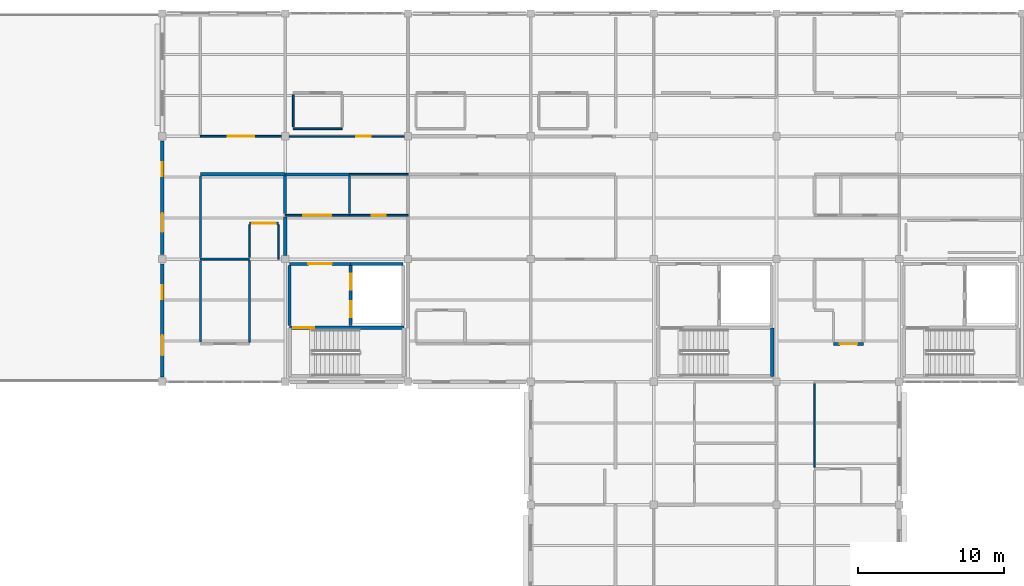
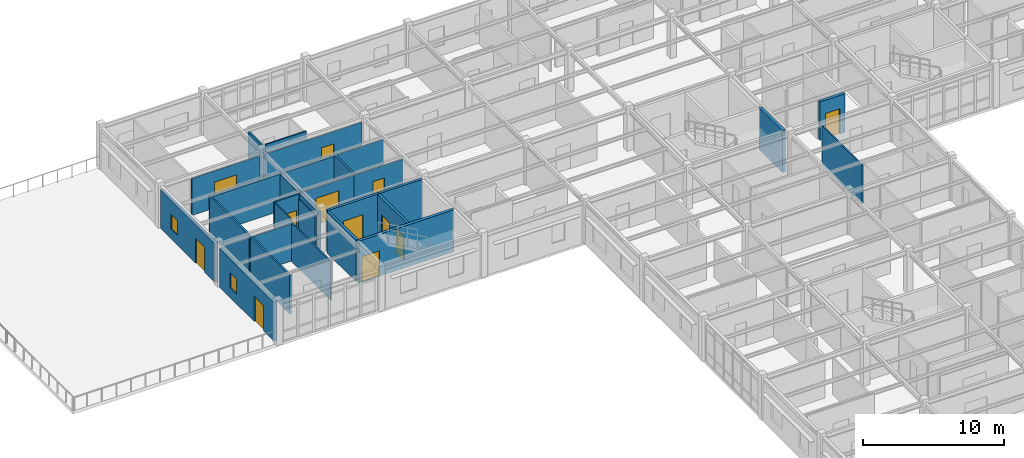
# One storey, part 40 of 53: 29 walls, 12 doors, 2 windows, 14 openings.
"""IFC4 building model written with IfcOpenShell, lengths in metres."""

from ifc_helpers import new_model, si_unit, direction, frame, frame_2d, origin, place, context, subcontext, project, spatial, rectangle, extrude, material, layer, layer_set, type_object, element, fill, save


model = new_model("IFC4")

# Units and contexts
model_context = context("Model", 3, precision=1e-05, world=origin(), true_north=direction((0.0, 1.0)))
body_context = subcontext(model_context, "Body", "Model", "MODEL_VIEW")
ifc_project = project(units=[si_unit("LENGTHUNIT", "METRE"), si_unit("AREAUNIT", "SQUARE_METRE"), si_unit("VOLUMEUNIT", "CUBIC_METRE"), si_unit("PLANEANGLEUNIT", "RADIAN"), si_unit("MASSUNIT", "GRAM", prefix="KILO")], contexts=[model_context])

# Site, building, storey
site_placement = place(None, origin())
site = spatial("IfcSite", under=ifc_project, at=site_placement, CompositionType="ELEMENT")
building_placement = place(site_placement, origin())
building = spatial("IfcBuilding", under=site, at=building_placement, Name="Bramfleet General Hospital", CompositionType="ELEMENT")
storey_placement = place(building_placement, frame((0.0, 0.0, 26.39990234375)))
storey = spatial("IfcBuildingStorey", under=building, at=storey_placement, Name="L06", CompositionType="ELEMENT", Elevation=26.39990234375)

# Wall, openings, door, window
ifc_material_1 = material(Name="Precast concrete C40/50", Category="concrete")
ifc_layer_1 = layer(ifc_material_1, 0.25, Name="WT-EW-08")
ifc_layer_set_1 = layer_set([ifc_layer_1], Name="Precast concrete C40/50")
wall_type_1 = type_object("IfcWallType", Name="WT-EW-08", PredefinedType="SOLIDWALL", material=ifc_layer_set_1)
wall_1_placement = place(storey_placement, frame((67.199951171875, 92.72509765625, 0.0), z_axis=(0.0, 0.0, 1.0), x_axis=(0.0, 1.0, 0.0)))
wall_1 = element("IfcWall", 1, at=wall_1_placement, inside=storey, type_object=wall_type_1, Name="L06 Exterior Wall 391", PredefinedType="SOLIDWALL", context=body_context, shape_type="SweptSolid", body=[
    extrude(rectangle(XDim=7.75, YDim=0.25, at=frame_2d((3.875, 0.0))), origin(), (0.0, 0.0, 1.0), 3.380126953125),
])
opening_1_placement = place(wall_1_placement, frame((1.47998046875, 0.0, 0.0)))
opening_1 = element("IfcOpeningElement", 2, at=opening_1_placement, cuts=wall_1, Name="Opening D-L06-TER-024", PredefinedType="OPENING", context=body_context, shape_type="SweptSolid", body=[
    extrude(rectangle(XDim=1.3798828125, YDim=2.179931640625, at=frame_2d((0.68994140625, 1.08984375))), frame((0.0, 0.135009765625, 0.0), z_axis=(0.0, -1.0, 0.0), x_axis=(1.0, 0.0, 0.0)), (0.0, 0.0, 1.0), 0.27001953125),
])
opening_2_placement = place(wall_1_placement, frame((5.33740234375, 0.0, 0.85009765625)))
opening_2 = element("IfcOpeningElement", 3, at=opening_2_placement, cuts=wall_1, Name="Opening W-01", PredefinedType="OPENING", context=body_context, shape_type="SweptSolid", body=[
    extrude(rectangle(XDim=0.949951171875, YDim=1.300048828125, at=frame_2d((0.47509765625, 0.64990234375))), frame((0.0, 0.135009765625, 0.0), z_axis=(0.0, -1.0, 0.0), x_axis=(1.0, 0.0, 0.0)), (0.0, 0.0, 1.0), 0.27001953125),
])
ifc_material_2 = material(Name="Thermally broken steel and laminated safety glass", Category="steel")
door_type_1 = type_object("IfcDoorType", Name="DR-ED-04", OperationType="NOTDEFINED", PredefinedType="DOOR", material=ifc_material_2)
door_1_placement = place(opening_1_placement, origin())
door_1 = element("IfcDoor", 4, at=door_1_placement, inside=storey, type_object=door_type_1, Name="L06 Terrace/Helipad Access Door D-L06-TER-024", OperationType="SINGLE_SWING_LEFT", OverallHeight=2.179931640625, OverallWidth=1.3798828125, PredefinedType="DOOR", context=body_context, shape_type="SweptSolid", body=[
    extrude(rectangle(XDim=1.3798828125, YDim=2.179931640625, at=frame_2d((0.68994140625, 1.08984375))), frame((0.0, 0.02490234375, 0.0), z_axis=(0.0, -1.0, 0.0), x_axis=(1.0, 0.0, 0.0)), (0.0, 0.0, 1.0), 0.050048828125),
])
fill(opening_1, door_1)
ifc_material_3 = material(Name="Anodised aluminium and low-E triple glazing", Category="aluminium")
window_type = type_object("IfcWindowType", Name="WIN-W-01", PartitioningType="SINGLE_PANEL", PredefinedType="WINDOW", material=ifc_material_3)
window_1_placement = place(opening_2_placement, origin())
window_1 = element("IfcWindow", 5, at=window_1_placement, inside=storey, type_object=window_type, Name="L06 Facade Window WIN-L06-391-TER", OverallHeight=1.300048828125, OverallWidth=0.949951171875, PartitioningType="SINGLE_PANEL", PredefinedType="WINDOW", context=body_context, shape_type="SweptSolid", body=[
    extrude(rectangle(XDim=0.949951171875, YDim=1.300048828125, at=frame_2d((0.47509765625, 0.64990234375))), frame((0.0, 0.030029296875, 0.0), z_axis=(0.0, -1.0, 0.0), x_axis=(1.0, 0.0, 0.0)), (0.0, 0.0, 1.0), 0.06005859375),
])
fill(opening_2, window_1)

ifc_layer_2 = layer(ifc_material_1, 0.235107421875, Name="WT-EW-09")
ifc_layer_set_2 = layer_set([ifc_layer_2], Name="Precast concrete C40/50")
wall_type_2 = type_object("IfcWallType", Name="WT-EW-09", PredefinedType="SOLIDWALL", material=ifc_layer_set_2)
wall_2_placement = place(storey_placement, frame((67.199951171875, 101.125, 0.0), z_axis=(0.0, 0.0, 1.0), x_axis=(0.0, 1.0, 0.0)))
wall_2 = element("IfcWall", 6, at=wall_2_placement, inside=storey, type_object=wall_type_2, Name="L06 Exterior Wall 392", PredefinedType="SOLIDWALL", context=body_context, shape_type="SweptSolid", body=[
    extrude(rectangle(XDim=7.75, YDim=0.235107421875, at=frame_2d((3.875, 0.0))), origin(), (0.0, 0.0, 1.0), 3.380126953125),
])
opening_3_placement = place(wall_2_placement, frame((1.5400390625, 0.0, 0.0)))
opening_3 = element("IfcOpeningElement", 7, at=opening_3_placement, cuts=wall_2, Name="Opening D-L06-TER-025", PredefinedType="OPENING", context=body_context, shape_type="SweptSolid", body=[
    extrude(rectangle(XDim=1.260009765625, YDim=2.14990234375, at=frame_2d((0.6298828125, 1.074951171875))), frame((0.0, 0.12744140625, 0.0), z_axis=(0.0, -1.0, 0.0), x_axis=(1.0, 0.0, 0.0)), (0.0, 0.0, 1.0), 0.255126953125),
])
opening_4_placement = place(wall_2_placement, frame((5.33740234375, 0.0, 0.85009765625)))
opening_4 = element("IfcOpeningElement", 8, at=opening_4_placement, cuts=wall_2, Name="Opening W-01", PredefinedType="OPENING", context=body_context, shape_type="SweptSolid", body=[
    extrude(rectangle(XDim=0.949951171875, YDim=1.300048828125, at=frame_2d((0.47509765625, 0.64990234375))), frame((0.0, 0.12744140625, 0.0), z_axis=(0.0, -1.0, 0.0), x_axis=(1.0, 0.0, 0.0)), (0.0, 0.0, 1.0), 0.255126953125),
])
door_type_2 = type_object("IfcDoorType", Name="DR-ED-05", OperationType="NOTDEFINED", PredefinedType="DOOR", material=ifc_material_2)
door_2_placement = place(opening_3_placement, origin())
door_2 = element("IfcDoor", 9, at=door_2_placement, inside=storey, type_object=door_type_2, Name="L06 Terrace/Helipad Access Door D-L06-TER-025", OperationType="SINGLE_SWING_RIGHT", OverallHeight=2.14990234375, OverallWidth=1.260009765625, PredefinedType="DOOR", context=body_context, shape_type="SweptSolid", body=[
    extrude(rectangle(XDim=1.260009765625, YDim=2.14990234375, at=frame_2d((0.6298828125, 1.074951171875))), frame((0.0, 0.02490234375, 0.0), z_axis=(0.0, -1.0, 0.0), x_axis=(1.0, 0.0, 0.0)), (0.0, 0.0, 1.0), 0.050048828125),
])
fill(opening_3, door_2)
window_2_placement = place(opening_4_placement, origin())
window_2 = element("IfcWindow", 10, at=window_2_placement, inside=storey, type_object=window_type, Name="L06 Facade Window WIN-L06-392-TER", OverallHeight=1.300048828125, OverallWidth=0.949951171875, PartitioningType="SINGLE_PANEL", PredefinedType="WINDOW", context=body_context, shape_type="SweptSolid", body=[
    extrude(rectangle(XDim=0.949951171875, YDim=1.300048828125, at=frame_2d((0.47509765625, 0.64990234375))), frame((0.0, 0.030029296875, 0.0), z_axis=(0.0, -1.0, 0.0), x_axis=(1.0, 0.0, 0.0)), (0.0, 0.0, 1.0), 0.06005859375),
])
fill(opening_4, window_2)

# Wall, opening, door
ifc_material_4 = material(Name="Concrete C35/45", Category="concrete")
ifc_layer_3 = layer(ifc_material_4, 0.219970703125, Name="WT-IW-01")
ifc_layer_set_3 = layer_set([ifc_layer_3], Name="Concrete C35/45")
wall_type_3 = type_object("IfcWallType", Name="WT-IW-01", PredefinedType="PARTITIONING", material=ifc_layer_set_3)
wall_3_placement = place(storey_placement, frame((113.10009765625, 95.0, 0.0), z_axis=(0.0, 0.0, 1.0), x_axis=(1.0, 0.0, 0.0)))
wall_3 = element("IfcWall", 11, at=wall_3_placement, inside=storey, type_object=wall_type_3, Name="L06 Interior Partition IW-L06-3925", PredefinedType="PARTITIONING", context=body_context, shape_type="SweptSolid", body=[
    extrude(rectangle(XDim=2.0498046875, YDim=0.219970703125, at=frame_2d((1.02490234375, 0.0))), origin(), (0.0, 0.0, 1.0), 3.340087890625),
])
opening_5_placement = place(wall_3_placement, frame((0.43505859375, 0.0, 0.0)))
opening_5 = element("IfcOpeningElement", 12, at=opening_5_placement, cuts=wall_3, Name="Opening D1500", PredefinedType="OPENING", context=body_context, shape_type="SweptSolid", body=[
    extrude(rectangle(XDim=1.179931640625, YDim=2.179931640625, at=frame_2d((0.58984375, 1.08984375))), frame((0.0, 0.119873046875, 0.0), z_axis=(0.0, -1.0, 0.0), x_axis=(1.0, 0.0, 0.0)), (0.0, 0.0, 1.0), 0.239990234375),
])
ifc_material_5 = material(Name="Stainless steel and acoustic timber leaf", Category="steel")
door_type_3 = type_object("IfcDoorType", Name="DR-D-28", OperationType="NOTDEFINED", PredefinedType="DOOR", material=ifc_material_5)
door_3_placement = place(opening_5_placement, origin())
door_3 = element("IfcDoor", 13, at=door_3_placement, inside=storey, type_object=door_type_3, Name="Oncology and Neurology Ward Bedroom L06-1311 Door D1500", OperationType="SINGLE_SWING_LEFT", OverallHeight=2.179931640625, OverallWidth=1.179931640625, PredefinedType="DOOR", context=body_context, shape_type="SweptSolid", body=[
    extrude(rectangle(XDim=1.179931640625, YDim=2.179931640625, at=frame_2d((0.58984375, 1.08984375))), frame((0.0, 0.02490234375, 0.0), z_axis=(0.0, -1.0, 0.0), x_axis=(1.0, 0.0, 0.0)), (0.0, 0.0, 1.0), 0.050048828125),
])
fill(opening_5, door_3)

# Walls
wall_4_placement = place(storey_placement, frame((69.800048828125, 106.60009765625, 0.0), z_axis=(0.0, 0.0, 1.0), x_axis=(1.0, 0.0, 0.0)))
element("IfcWall", 14, at=wall_4_placement, inside=storey, type_object=wall_type_3, Name="L06 Interior Partition IW-L06-3949", PredefinedType="PARTITIONING", context=body_context, shape_type="SweptSolid", body=[
    extrude(rectangle(XDim=5.800048828125, YDim=0.219970703125, at=frame_2d((2.89990234375, 0.0))), origin(), (0.0, 0.0, 1.0), 3.210205078125),
])
wall_5_placement = place(storey_placement, frame((75.60009765625, 101.044921875, 0.0), z_axis=(0.0, 0.0, 1.0), x_axis=(0.0, 1.0, 0.0)))
element("IfcWall", 15, at=wall_5_placement, inside=storey, type_object=wall_type_3, Name="L06 Interior Partition IW-L06-3985", PredefinedType="PARTITIONING", context=body_context, shape_type="SweptSolid", body=[
    extrude(rectangle(XDim=2.64013671875, YDim=0.219970703125, at=frame_2d((1.320068359375, 0.0))), origin(), (0.0, 0.0, 1.0), 3.210205078125),
])

# Wall, openings, doors
ifc_layer_4 = layer(ifc_material_4, 0.205078125, Name="WT-IW-02")
ifc_layer_set_4 = layer_set([ifc_layer_4], Name="Concrete C35/45")
wall_type_4 = type_object("IfcWallType", Name="WT-IW-02", PredefinedType="PARTITIONING", material=ifc_layer_set_4)
wall_6_placement = place(storey_placement, frame((80.080078125, 96.239990234375, 0.0), z_axis=(0.0, 0.0, 1.0), x_axis=(0.0, 1.0, 0.0)))
wall_6 = element("IfcWall", 16, at=wall_6_placement, inside=storey, type_object=wall_type_4, Name="L06 C5 Lobby East Shaft Wall", PredefinedType="PARTITIONING", context=body_context, shape_type="SweptSolid", body=[
    extrude(rectangle(XDim=4.1201171875, YDim=0.205078125, at=frame_2d((2.06005859375, 0.0))), origin(), (0.0, 0.0, 1.0), 3.610107421875),
])
opening_6_placement = place(wall_6_placement, frame((0.570068359375, 0.0, 0.0)))
opening_6 = element("IfcOpeningElement", 17, at=opening_6_placement, cuts=wall_6, Name="Opening LD-PL-02-L06", PredefinedType="OPENING", context=body_context, shape_type="SweptSolid", body=[
    extrude(rectangle(XDim=1.10009765625, YDim=2.14990234375, at=frame_2d((0.550048828125, 1.074951171875))), frame((0.0, 0.112548828125, 0.0), z_axis=(0.0, -1.0, 0.0), x_axis=(1.0, 0.0, 0.0)), (0.0, 0.0, 1.0), 0.22509765625),
])
opening_7_placement = place(wall_6_placement, frame((2.449951171875, 0.0, 0.0)))
opening_7 = element("IfcOpeningElement", 18, at=opening_7_placement, cuts=wall_6, Name="Opening LD-PL-03-L06", PredefinedType="OPENING", context=body_context, shape_type="SweptSolid", body=[
    extrude(rectangle(XDim=1.10009765625, YDim=2.14990234375, at=frame_2d((0.550048828125, 1.074951171875))), frame((0.0, 0.112548828125, 0.0), z_axis=(0.0, -1.0, 0.0), x_axis=(1.0, 0.0, 0.0)), (0.0, 0.0, 1.0), 0.22509765625),
])
ifc_material_6 = material(Name="Brushed stainless steel 1.4301", Category="steel")
door_type_4 = type_object("IfcDoorType", Name="DR-LD-02", OperationType="NOTDEFINED", PredefinedType="DOOR", material=ifc_material_6)
door_4_placement = place(opening_6_placement, origin())
door_4 = element("IfcDoor", 19, at=door_4_placement, inside=storey, type_object=door_type_4, Name="L06 Lift PL-02 Sliding Landing Door", OperationType="SLIDING_TO_LEFT", OverallHeight=2.14990234375, OverallWidth=1.10009765625, PredefinedType="DOOR", context=body_context, shape_type="SweptSolid", body=[
    extrude(rectangle(XDim=1.10009765625, YDim=2.14990234375, at=frame_2d((0.550048828125, 1.074951171875))), frame((0.0, 0.02490234375, 0.0), z_axis=(0.0, -1.0, 0.0), x_axis=(1.0, 0.0, 0.0)), (0.0, 0.0, 1.0), 0.050048828125),
])
fill(opening_6, door_4)
door_5_placement = place(opening_7_placement, origin())
door_5 = element("IfcDoor", 20, at=door_5_placement, inside=storey, type_object=door_type_4, Name="L06 Lift PL-03 Sliding Landing Door", OperationType="SLIDING_TO_LEFT", OverallHeight=2.14990234375, OverallWidth=1.10009765625, PredefinedType="DOOR", context=body_context, shape_type="SweptSolid", body=[
    extrude(rectangle(XDim=1.10009765625, YDim=2.14990234375, at=frame_2d((0.550048828125, 1.074951171875))), frame((0.0, 0.02490234375, 0.0), z_axis=(0.0, -1.0, 0.0), x_axis=(1.0, 0.0, 0.0)), (0.0, 0.0, 1.0), 0.050048828125),
])
fill(opening_7, door_5)

# Walls
wall_7_placement = place(storey_placement, frame((80.080078125, 100.47998046875, 0.0), z_axis=(0.0, 0.0, 1.0), x_axis=(1.0, 0.0, 0.0)))
element("IfcWall", 21, at=wall_7_placement, inside=storey, type_object=wall_type_4, Name="L06 C5 Lift Shaft North Wall", PredefinedType="PARTITIONING", context=body_context, shape_type="SweptSolid", body=[
    extrude(rectangle(XDim=3.56982421875, YDim=0.205078125, at=frame_2d((1.784912109375, 0.0))), origin(), (0.0, 0.0, 1.0), 3.610107421875),
])
wall_8_placement = place(storey_placement, frame((75.89990234375, 96.239990234375, 0.0), z_axis=(0.0, 0.0, 1.0), x_axis=(0.0, 1.0, 0.0)))
element("IfcWall", 22, at=wall_8_placement, inside=storey, type_object=wall_type_4, Name="L06 C5 Lobby West Compartment Wall", PredefinedType="PARTITIONING", context=body_context, shape_type="SweptSolid", body=[
    extrude(rectangle(XDim=4.1201171875, YDim=0.205078125, at=frame_2d((2.06005859375, 0.0))), origin(), (0.0, 0.0, 1.0), 3.610107421875),
])

# Wall, opening, door
wall_9_placement = place(storey_placement, frame((75.89990234375, 100.47998046875, 0.0), z_axis=(0.0, 0.0, 1.0), x_axis=(1.0, 0.0, 0.0)))
wall_9 = element("IfcWall", 23, at=wall_9_placement, inside=storey, type_object=wall_type_4, Name="L06 C5 Lobby North Compartment Wall", PredefinedType="PARTITIONING", context=body_context, shape_type="SweptSolid", body=[
    extrude(rectangle(XDim=4.18017578125, YDim=0.205078125, at=frame_2d((2.090087890625, 0.0))), origin(), (0.0, 0.0, 1.0), 3.610107421875),
])
opening_8_placement = place(wall_9_placement, frame((1.2900390625, 0.0, 0.0)))
opening_8 = element("IfcOpeningElement", 24, at=opening_8_placement, cuts=wall_9, Name="Opening D0070", PredefinedType="OPENING", context=body_context, shape_type="SweptSolid", body=[
    extrude(rectangle(XDim=1.60009765625, YDim=2.25, at=frame_2d((0.800048828125, 1.125))), frame((0.0, 0.112548828125, 0.0), z_axis=(0.0, -1.0, 0.0), x_axis=(1.0, 0.0, 0.0)), (0.0, 0.0, 1.0), 0.22509765625),
])
door_type_5 = type_object("IfcDoorType", Name="DR-D-04", OperationType="NOTDEFINED", PredefinedType="DOOR", material=ifc_material_5)
door_6_placement = place(opening_8_placement, origin())
door_6 = element("IfcDoor", 25, at=door_6_placement, inside=storey, type_object=door_type_5, Name="L06 C5 Lobby Fire Door D0070", OperationType="DOUBLE_SWING_LEFT", OverallHeight=2.25, OverallWidth=1.60009765625, PredefinedType="DOOR", context=body_context, shape_type="SweptSolid", body=[
    extrude(rectangle(XDim=1.60009765625, YDim=2.25, at=frame_2d((0.800048828125, 1.125))), frame((0.0, 0.02490234375, 0.0), z_axis=(0.0, -1.0, 0.0), x_axis=(1.0, 0.0, 0.0)), (0.0, 0.0, 1.0), 0.050048828125),
])
fill(opening_8, door_6)

# Walls
wall_10_placement = place(storey_placement, frame((75.60009765625, 106.60009765625, 0.0), z_axis=(0.0, 0.0, 1.0), x_axis=(1.0, 0.0, 0.0)))
element("IfcWall", 26, at=wall_10_placement, inside=storey, type_object=wall_type_4, Name="L06 Interior Partition IW-L06-3950", PredefinedType="PARTITIONING", context=body_context, shape_type="SweptSolid", body=[
    extrude(rectangle(XDim=4.39990234375, YDim=0.205078125, at=frame_2d((2.199951171875, 0.0))), origin(), (0.0, 0.0, 1.0), 3.210205078125),
])
wall_11_placement = place(storey_placement, frame((75.60009765625, 103.9150390625, 0.0), z_axis=(0.0, 0.0, 1.0), x_axis=(0.0, 1.0, 0.0)))
element("IfcWall", 27, at=wall_11_placement, inside=storey, type_object=wall_type_4, Name="L06 Interior Partition IW-L06-3986", PredefinedType="PARTITIONING", context=body_context, shape_type="SweptSolid", body=[
    extrude(rectangle(XDim=2.570068359375, YDim=0.205078125, at=frame_2d((1.28515625, 0.0))), origin(), (0.0, 0.0, 1.0), 3.210205078125),
])
ifc_material_7 = material(Name="Gypsum plasterboard on acoustic steel studs", Category="steel")
ifc_layer_5 = layer(ifc_material_7, 0.159912109375, Name="WT-IW-06")
ifc_layer_set_5 = layer_set([ifc_layer_5], Name="Gypsum plasterboard on acoustic steel studs")
wall_type_5 = type_object("IfcWallType", Name="WT-IW-06", PredefinedType="PARTITIONING", material=ifc_layer_set_5)
wall_12_placement = place(storey_placement, frame((80.0, 103.9150390625, 0.0), z_axis=(0.0, 0.0, 1.0), x_axis=(0.0, 1.0, 0.0)))
element("IfcWall", 28, at=wall_12_placement, inside=storey, type_object=wall_type_5, Name="L06 Interior Partition IW-L06-3990", PredefinedType="PARTITIONING", context=body_context, shape_type="SweptSolid", body=[
    extrude(rectangle(XDim=2.570068359375, YDim=0.159912109375, at=frame_2d((1.28515625, 0.0))), origin(), (0.0, 0.0, 1.0), 3.340087890625),
])

# Wall, opening, door
ifc_layer_6 = layer(ifc_material_7, 0.14990234375, Name="WT-IW-07")
ifc_layer_set_6 = layer_set([ifc_layer_6], Name="Gypsum plasterboard on acoustic steel studs")
wall_type_6 = type_object("IfcWallType", Name="WT-IW-07", PredefinedType="PARTITIONING", material=ifc_layer_set_6)
wall_13_placement = place(storey_placement, frame((73.14990234375, 103.25, 0.0), z_axis=(0.0, 0.0, 1.0), x_axis=(1.0, 0.0, 0.0)))
wall_13 = element("IfcWall", 29, at=wall_13_placement, inside=storey, type_object=wall_type_6, Name="L06 Interior Partition IW-L06-3943", PredefinedType="PARTITIONING", context=body_context, shape_type="SweptSolid", body=[
    extrude(rectangle(XDim=2.0, YDim=0.14990234375, at=frame_2d((1.0, 0.0))), origin(), (0.0, 0.0, 1.0), 3.610107421875),
])
opening_9_placement = place(wall_13_placement, frame((0.199951171875, 0.0, 0.0)))
opening_9 = element("IfcOpeningElement", 30, at=opening_9_placement, cuts=wall_13, Name="Opening D1444", PredefinedType="OPENING", context=body_context, shape_type="SweptSolid", body=[
    extrude(rectangle(XDim=1.60009765625, YDim=2.25, at=frame_2d((0.800048828125, 1.125))), frame((0.0, 0.0849609375, 0.0), z_axis=(0.0, -1.0, 0.0), x_axis=(1.0, 0.0, 0.0)), (0.0, 0.0, 1.0), 0.169921875),
])
door_7_placement = place(opening_9_placement, origin())
door_7 = element("IfcDoor", 31, at=door_7_placement, inside=storey, type_object=door_type_5, Name="Patient Dayroom and Garden Lounge L06-0812 Door D1444", OperationType="DOUBLE_SWING_LEFT", OverallHeight=2.25, OverallWidth=1.60009765625, PredefinedType="DOOR", context=body_context, shape_type="SweptSolid", body=[
    extrude(rectangle(XDim=1.60009765625, YDim=2.25, at=frame_2d((0.800048828125, 1.125))), frame((0.0, 0.02490234375, 0.0), z_axis=(0.0, -1.0, 0.0), x_axis=(1.0, 0.0, 0.0)), (0.0, 0.0, 1.0), 0.050048828125),
])
fill(opening_9, door_7)

# Walls
wall_14_placement = place(storey_placement, frame((69.800048828125, 95.114990234375, 0.0), z_axis=(0.0, 0.0, 1.0), x_axis=(0.0, 1.0, 0.0)))
element("IfcWall", 32, at=wall_14_placement, inside=storey, type_object=wall_type_6, Name="L06 Interior Partition IW-L06-3979", PredefinedType="PARTITIONING", context=body_context, shape_type="SweptSolid", body=[
    extrude(rectangle(XDim=5.570068359375, YDim=0.14990234375, at=frame_2d((2.78515625, 0.0))), origin(), (0.0, 0.0, 1.0), 3.340087890625),
])
ifc_layer_7 = layer(ifc_material_7, 0.139892578125, Name="WT-IW-08")
ifc_layer_set_7 = layer_set([ifc_layer_7], Name="Gypsum plasterboard on acoustic steel studs")
wall_type_7 = type_object("IfcWallType", Name="WT-IW-08", PredefinedType="PARTITIONING", material=ifc_layer_set_7)
wall_15_placement = place(storey_placement, frame((69.800048828125, 100.9150390625, 0.0), z_axis=(0.0, 0.0, 1.0), x_axis=(0.0, 1.0, 0.0)))
element("IfcWall", 33, at=wall_15_placement, inside=storey, type_object=wall_type_7, Name="L06 Interior Partition IW-L06-3980", PredefinedType="PARTITIONING", context=body_context, shape_type="SweptSolid", body=[
    extrude(rectangle(XDim=5.570068359375, YDim=0.139892578125, at=frame_2d((2.78515625, 0.0))), origin(), (0.0, 0.0, 1.0), 3.340087890625),
])
ifc_layer_8 = layer(ifc_material_7, 0.1298828125, Name="WT-IW-09")
ifc_layer_set_8 = layer_set([ifc_layer_8], Name="Gypsum plasterboard on acoustic steel studs")
wall_type_8 = type_object("IfcWallType", Name="WT-IW-09", PredefinedType="PARTITIONING", material=ifc_layer_set_8)
wall_16_placement = place(storey_placement, frame((69.800048828125, 100.800048828125, 0.0), z_axis=(0.0, 0.0, 1.0), x_axis=(1.0, 0.0, 0.0)))
element("IfcWall", 34, at=wall_16_placement, inside=storey, type_object=wall_type_8, Name="L06 Interior Partition IW-L06-3933", PredefinedType="PARTITIONING", context=body_context, shape_type="SweptSolid", body=[
    extrude(rectangle(XDim=3.349853515625, YDim=0.1298828125, at=frame_2d((1.6748046875, 0.0))), origin(), (0.0, 0.0, 1.0), 3.210205078125),
])

# Wall, opening, door
wall_17_placement = place(storey_placement, frame((75.60009765625, 103.800048828125, 0.0), z_axis=(0.0, 0.0, 1.0), x_axis=(1.0, 0.0, 0.0)))
wall_17 = element("IfcWall", 35, at=wall_17_placement, inside=storey, type_object=wall_type_8, Name="L06 Interior Partition IW-L06-3945", PredefinedType="PARTITIONING", context=body_context, shape_type="SweptSolid", body=[
    extrude(rectangle(XDim=4.39990234375, YDim=0.1298828125, at=frame_2d((2.199951171875, 0.0))), origin(), (0.0, 0.0, 1.0), 3.210205078125),
])
opening_10_placement = place(wall_17_placement, frame((1.25, 0.0, 0.0)))
opening_10 = element("IfcOpeningElement", 36, at=opening_10_placement, cuts=wall_17, Name="Opening D1446", PredefinedType="OPENING", context=body_context, shape_type="SweptSolid", body=[
    extrude(rectangle(XDim=1.89990234375, YDim=2.300048828125, at=frame_2d((0.949951171875, 1.14990234375))), frame((0.0, 0.074951171875, 0.0), z_axis=(0.0, -1.0, 0.0), x_axis=(1.0, 0.0, 0.0)), (0.0, 0.0, 1.0), 0.14990234375),
])
door_type_6 = type_object("IfcDoorType", Name="DR-D-06", OperationType="NOTDEFINED", PredefinedType="DOOR", material=ifc_material_5)
door_8_placement = place(opening_10_placement, origin())
door_8 = element("IfcDoor", 37, at=door_8_placement, inside=storey, type_object=door_type_6, Name="Clean Medication and Treatment Room L06-0912 Door D1446", OperationType="DOUBLE_SWING_LEFT", OverallHeight=2.300048828125, OverallWidth=1.89990234375, PredefinedType="DOOR", context=body_context, shape_type="SweptSolid", body=[
    extrude(rectangle(XDim=1.89990234375, YDim=2.300048828125, at=frame_2d((0.949951171875, 1.14990234375))), frame((0.0, 0.02490234375, 0.0), z_axis=(0.0, -1.0, 0.0), x_axis=(1.0, 0.0, 0.0)), (0.0, 0.0, 1.0), 0.050048828125),
])
fill(opening_10, door_8)

ifc_layer_9 = layer(ifc_material_7, 0.1201171875, Name="WT-IW-10")
ifc_layer_set_9 = layer_set([ifc_layer_9], Name="Gypsum plasterboard on acoustic steel studs")
wall_type_9 = type_object("IfcWallType", Name="WT-IW-10", PredefinedType="PARTITIONING", material=ifc_layer_set_9)
wall_18_placement = place(storey_placement, frame((80.0, 103.800048828125, 0.0), z_axis=(0.0, 0.0, 1.0), x_axis=(1.0, 0.0, 0.0)))
wall_18 = element("IfcWall", 38, at=wall_18_placement, inside=storey, type_object=wall_type_9, Name="L06 Interior Partition IW-L06-3946", PredefinedType="PARTITIONING", context=body_context, shape_type="SweptSolid", body=[
    extrude(rectangle(XDim=4.0, YDim=0.1201171875, at=frame_2d((2.0, 0.0))), origin(), (0.0, 0.0, 1.0), 3.210205078125),
])
opening_11_placement = place(wall_18_placement, frame((1.52490234375, 0.0, 0.0)))
opening_11 = element("IfcOpeningElement", 39, at=opening_11_placement, cuts=wall_18, Name="Opening D1447", PredefinedType="OPENING", context=body_context, shape_type="SweptSolid", body=[
    extrude(rectangle(XDim=0.949951171875, YDim=2.10009765625, at=frame_2d((0.47509765625, 1.050048828125))), frame((0.0, 0.070068359375, 0.0), z_axis=(0.0, -1.0, 0.0), x_axis=(1.0, 0.0, 0.0)), (0.0, 0.0, 1.0), 0.14013671875),
])
door_type_7 = type_object("IfcDoorType", Name="DR-D-10", OperationType="NOTDEFINED", PredefinedType="DOOR", material=ifc_material_5)
door_9_placement = place(opening_11_placement, origin())
door_9 = element("IfcDoor", 40, at=door_9_placement, inside=storey, type_object=door_type_7, Name="L06 Accessible and Staff WC 0912 Door D1447", OperationType="SINGLE_SWING_LEFT", OverallHeight=2.10009765625, OverallWidth=0.949951171875, PredefinedType="DOOR", context=body_context, shape_type="SweptSolid", body=[
    extrude(rectangle(XDim=0.949951171875, YDim=2.10009765625, at=frame_2d((0.47509765625, 1.050048828125))), frame((0.0, 0.02490234375, 0.0), z_axis=(0.0, -1.0, 0.0), x_axis=(1.0, 0.0, 0.0)), (0.0, 0.0, 1.0), 0.050048828125),
])
fill(opening_11, door_9)

# Walls
wall_19_placement = place(storey_placement, frame((80.0, 106.60009765625, 0.0), z_axis=(0.0, 0.0, 1.0), x_axis=(1.0, 0.0, 0.0)))
element("IfcWall", 41, at=wall_19_placement, inside=storey, type_object=wall_type_9, Name="L06 Interior Partition IW-L06-3951", PredefinedType="PARTITIONING", context=body_context, shape_type="SweptSolid", body=[
    extrude(rectangle(XDim=4.0, YDim=0.1201171875, at=frame_2d((2.0, 0.0))), origin(), (0.0, 0.0, 1.0), 3.210205078125),
])
wall_20_placement = place(storey_placement, frame((76.14990234375, 109.719970703125, 0.0), z_axis=(0.0, 0.0, 1.0), x_axis=(1.0, 0.0, 0.0)))
element("IfcWall", 42, at=wall_20_placement, inside=storey, type_object=wall_type_9, Name="L06 Interior Partition IW-L06-3963", PredefinedType="PARTITIONING", context=body_context, shape_type="SweptSolid", body=[
    extrude(rectangle(XDim=3.35009765625, YDim=0.1201171875, at=frame_2d((1.675048828125, 0.0))), origin(), (0.0, 0.0, 1.0), 3.610107421875),
])
wall_21_placement = place(storey_placement, frame((73.14990234375, 95.114990234375, 0.0), z_axis=(0.0, 0.0, 1.0), x_axis=(0.0, 1.0, 0.0)))
element("IfcWall", 43, at=wall_21_placement, inside=storey, type_object=wall_type_9, Name="L06 Interior Partition IW-L06-3982", PredefinedType="PARTITIONING", context=body_context, shape_type="SweptSolid", body=[
    extrude(rectangle(XDim=5.570068359375, YDim=0.1201171875, at=frame_2d((2.78515625, 0.0))), origin(), (0.0, 0.0, 1.0), 3.340087890625),
])
wall_22_placement = place(storey_placement, frame((76.14990234375, 109.8349609375, 0.0), z_axis=(0.0, 0.0, 1.0), x_axis=(0.0, 1.0, 0.0)))
element("IfcWall", 44, at=wall_22_placement, inside=storey, type_object=wall_type_9, Name="L06 Interior Partition IW-L06-3988", PredefinedType="PARTITIONING", context=body_context, shape_type="SweptSolid", body=[
    extrude(rectangle(XDim=2.219970703125, YDim=0.1201171875, at=frame_2d((1.10986328125, 0.0))), origin(), (0.0, 0.0, 1.0), 3.340087890625),
])

# Wall, opening, door
ifc_layer_10 = layer(ifc_material_7, 0.112060546875, Name="WT-IW-11")
ifc_layer_set_10 = layer_set([ifc_layer_10], Name="Gypsum plasterboard on acoustic steel studs")
wall_type_10 = type_object("IfcWallType", Name="WT-IW-11", PredefinedType="PARTITIONING", material=ifc_layer_set_10)
wall_23_placement = place(storey_placement, frame((69.800048828125, 109.199951171875, 0.0), z_axis=(0.0, 0.0, 1.0), x_axis=(1.0, 0.0, 0.0)))
wall_23 = element("IfcWall", 45, at=wall_23_placement, inside=storey, type_object=wall_type_10, Name="L06 Interior Partition IW-L06-3959", PredefinedType="PARTITIONING", context=body_context, shape_type="SweptSolid", body=[
    extrude(rectangle(XDim=5.554931640625, YDim=0.112060546875, at=frame_2d((2.77734375, 0.0))), origin(), (0.0, 0.0, 1.0), 3.210205078125),
])
opening_12_placement = place(wall_23_placement, frame((1.87744140625, 0.0, 0.0)))
opening_12 = element("IfcOpeningElement", 46, at=opening_12_placement, cuts=wall_23, Name="Opening D1445", PredefinedType="OPENING", context=body_context, shape_type="SweptSolid", body=[
    extrude(rectangle(XDim=1.800048828125, YDim=2.25, at=frame_2d((0.89990234375, 1.125))), frame((0.0, 0.06591796875, 0.0), z_axis=(0.0, -1.0, 0.0), x_axis=(1.0, 0.0, 0.0)), (0.0, 0.0, 1.0), 0.132080078125),
])
door_type_8 = type_object("IfcDoorType", Name="DR-D-05", OperationType="NOTDEFINED", PredefinedType="DOOR", material=ifc_material_5)
door_10_placement = place(opening_12_placement, origin())
door_10 = element("IfcDoor", 47, at=door_10_placement, inside=storey, type_object=door_type_8, Name="Patient Dayroom and Garden Lounge L06-0813 Door D1445", OperationType="DOUBLE_SWING_RIGHT", OverallHeight=2.25, OverallWidth=1.800048828125, PredefinedType="DOOR", context=body_context, shape_type="SweptSolid", body=[
    extrude(rectangle(XDim=1.800048828125, YDim=2.25, at=frame_2d((0.89990234375, 1.125))), frame((0.0, 0.02490234375, 0.0), z_axis=(0.0, -1.0, 0.0), x_axis=(1.0, 0.0, 0.0)), (0.0, 0.0, 1.0), 0.050048828125),
])
fill(opening_12, door_10)

# Wall
wall_24_placement = place(storey_placement, frame((73.14990234375, 100.9150390625, 0.0), z_axis=(0.0, 0.0, 1.0), x_axis=(0.0, 1.0, 0.0)))
element("IfcWall", 48, at=wall_24_placement, inside=storey, type_object=wall_type_10, Name="L06 Interior Partition IW-L06-3983", PredefinedType="PARTITIONING", context=body_context, shape_type="SweptSolid", body=[
    extrude(rectangle(XDim=2.219970703125, YDim=0.112060546875, at=frame_2d((1.10986328125, 0.0))), origin(), (0.0, 0.0, 1.0), 3.610107421875),
])

# Wall, opening, door
ifc_layer_11 = layer(ifc_material_7, 0.10009765625, Name="WT-IW-12")
ifc_layer_set_11 = layer_set([ifc_layer_11], Name="Gypsum plasterboard on acoustic steel studs")
wall_type_11 = type_object("IfcWallType", Name="WT-IW-12", PredefinedType="PARTITIONING", material=ifc_layer_set_11)
wall_25_placement = place(storey_placement, frame((75.844970703125, 109.199951171875, 0.0), z_axis=(0.0, 0.0, 1.0), x_axis=(1.0, 0.0, 0.0)))
wall_25 = element("IfcWall", 49, at=wall_25_placement, inside=storey, type_object=wall_type_11, Name="L06 Interior Partition IW-L06-3960", PredefinedType="PARTITIONING", context=body_context, shape_type="SweptSolid", body=[
    extrude(rectangle(XDim=7.909912109375, YDim=0.10009765625, at=frame_2d((3.955078125, 0.0))), origin(), (0.0, 0.0, 1.0), 3.210205078125),
])
opening_13_placement = place(wall_25_placement, frame((4.60546875, 0.0, 0.0)))
opening_13 = element("IfcOpeningElement", 50, at=opening_13_placement, cuts=wall_25, Name="Opening D1448", PredefinedType="OPENING", context=body_context, shape_type="SweptSolid", body=[
    extrude(rectangle(XDim=1.0, YDim=2.14990234375, at=frame_2d((0.5, 1.074951171875))), frame((0.0, 0.06005859375, 0.0), z_axis=(0.0, -1.0, 0.0), x_axis=(1.0, 0.0, 0.0)), (0.0, 0.0, 1.0), 0.1201171875),
])
door_type_9 = type_object("IfcDoorType", Name="DR-D-08", OperationType="NOTDEFINED", PredefinedType="DOOR", material=ifc_material_5)
door_11_placement = place(opening_13_placement, origin())
door_11 = element("IfcDoor", 51, at=door_11_placement, inside=storey, type_object=door_type_9, Name="Oncology and Neurology Ward Bedroom L06-0913 Door D1448", OperationType="SINGLE_SWING_LEFT", OverallHeight=2.14990234375, OverallWidth=1.0, PredefinedType="DOOR", context=body_context, shape_type="SweptSolid", body=[
    extrude(rectangle(XDim=1.0, YDim=2.14990234375, at=frame_2d((0.5, 1.074951171875))), frame((0.0, 0.02490234375, 0.0), z_axis=(0.0, -1.0, 0.0), x_axis=(1.0, 0.0, 0.0)), (0.0, 0.0, 1.0), 0.050048828125),
])
fill(opening_13, door_11)

# Walls
wall_26_placement = place(storey_placement, frame((75.14990234375, 100.800048828125, 0.0), z_axis=(0.0, 0.0, 1.0), x_axis=(0.0, 1.0, 0.0)))
element("IfcWall", 52, at=wall_26_placement, inside=storey, type_object=wall_type_11, Name="L06 Interior Partition IW-L06-3984", PredefinedType="PARTITIONING", context=body_context, shape_type="SweptSolid", body=[
    extrude(rectangle(XDim=2.3349609375, YDim=0.10009765625, at=frame_2d((1.16748046875, 0.0))), origin(), (0.0, 0.0, 1.0), 3.210205078125),
])
wall_27_placement = place(storey_placement, frame((111.800048828125, 86.56494140625, 0.0), z_axis=(0.0, 0.0, 1.0), x_axis=(0.0, 1.0, 0.0)))
element("IfcWall", 53, at=wall_27_placement, inside=storey, type_object=wall_type_11, Name="L06 Interior Partition IW-L06-4068", PredefinedType="PARTITIONING", context=body_context, shape_type="SweptSolid", body=[
    extrude(rectangle(XDim=5.719970703125, YDim=0.10009765625, at=frame_2d((2.85986328125, 0.0))), origin(), (0.0, 0.0, 1.0), 3.340087890625),
])
ifc_material_8 = material(Name="Concrete C40/50", Category="concrete")
ifc_layer_12 = layer(ifc_material_8, 0.239990234375, Name="WT-SW-240")
ifc_layer_set_12 = layer_set([ifc_layer_12], Name="Concrete C40/50")
wall_type_12 = type_object("IfcWallType", Name="WT-SW-240", PredefinedType="SHEAR", material=ifc_layer_set_12)
wall_28_placement = place(storey_placement, frame((108.919921875, 92.780029296875, 0.0), z_axis=(0.0, 0.0, 1.0), x_axis=(0.0, 1.0, 0.0)))
element("IfcWall", 54, at=wall_28_placement, inside=storey, type_object=wall_type_12, Name="L06 C4 East Stair Shear Wall", PredefinedType="SHEAR", context=body_context, shape_type="SweptSolid", body=[
    extrude(rectangle(XDim=3.320068359375, YDim=0.239990234375, at=frame_2d((1.66015625, 0.0))), origin(), (0.0, 0.0, 1.0), 3.6201171875),
])

# Wall, opening, door
wall_29_placement = place(storey_placement, frame((75.89990234375, 96.10009765625, 0.0), z_axis=(0.0, 0.0, 1.0), x_axis=(1.0, 0.0, 0.0)))
wall_29 = element("IfcWall", 55, at=wall_29_placement, inside=storey, type_object=wall_type_12, Name="L06 C5 Stair-Lobby Shear Wall", PredefinedType="SHEAR", context=body_context, shape_type="SweptSolid", body=[
    extrude(rectangle(XDim=7.820068359375, YDim=0.239990234375, at=frame_2d((3.91015625, 0.0))), origin(), (0.0, 0.0, 1.0), 3.6201171875),
])
opening_14_placement = place(wall_29_placement, frame((0.25, 0.0, 0.0)))
opening_14 = element("IfcOpeningElement", 56, at=opening_14_placement, cuts=wall_29, Name="Opening D0069", PredefinedType="OPENING", context=body_context, shape_type="SweptSolid", body=[
    extrude(rectangle(XDim=1.449951171875, YDim=2.199951171875, at=frame_2d((0.72509765625, 1.10009765625))), frame((0.0, 0.1298828125, 0.0), z_axis=(0.0, -1.0, 0.0), x_axis=(1.0, 0.0, 0.0)), (0.0, 0.0, 1.0), 0.260009765625),
])
door_type_10 = type_object("IfcDoorType", Name="DR-D-03", OperationType="NOTDEFINED", PredefinedType="DOOR", material=ifc_material_5)
door_12_placement = place(opening_14_placement, origin())
door_12 = element("IfcDoor", 57, at=door_12_placement, inside=storey, type_object=door_type_10, Name="L06 C5 Escape Stair Fire Door D0069", OperationType="SINGLE_SWING_RIGHT", OverallHeight=2.199951171875, OverallWidth=1.449951171875, PredefinedType="DOOR", context=body_context, shape_type="SweptSolid", body=[
    extrude(rectangle(XDim=1.449951171875, YDim=2.199951171875, at=frame_2d((0.72509765625, 1.10009765625))), frame((0.0, 0.02490234375, 0.0), z_axis=(0.0, -1.0, 0.0), x_axis=(1.0, 0.0, 0.0)), (0.0, 0.0, 1.0), 0.050048828125),
])
fill(opening_14, door_12)

save(model, "model.ifc")
